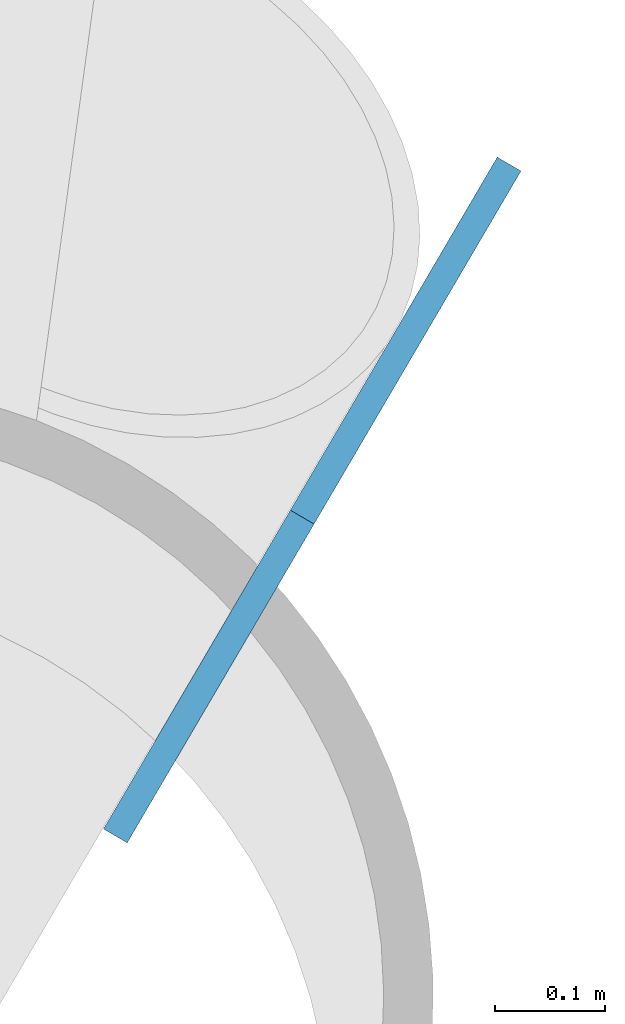
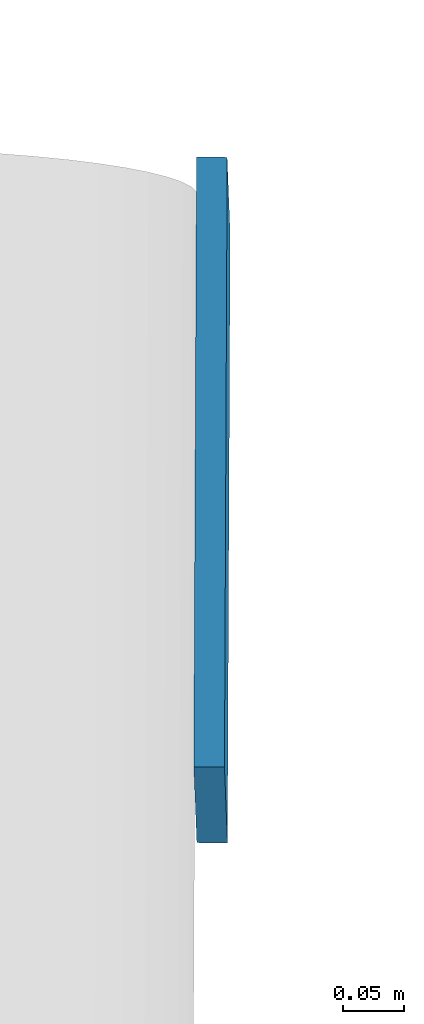
# One storey, part 9 of 22: 1 discrete accessory.
"""IFC4 building model written with IfcOpenShell, lengths in metres."""

from ifc_helpers import new_model, si_unit, direction, frame, origin, origin_2d, place, context, subcontext, project, spatial, rectangle, extrude, material, material_profile, profile_set, type_object, element, save


model = new_model("IFC4")

# Units and contexts
model_context = context("Model", 3, precision=1e-05, world=origin(), true_north=direction((0.0, 1.0)))
body_context = subcontext(model_context, "Body", "Model", "MODEL_VIEW")
ifc_project = project(units=[si_unit("LENGTHUNIT", "METRE"), si_unit("AREAUNIT", "SQUARE_METRE"), si_unit("VOLUMEUNIT", "CUBIC_METRE"), si_unit("PLANEANGLEUNIT", "RADIAN"), si_unit("MASSUNIT", "GRAM", prefix="KILO")], contexts=[model_context])

# Site, building, storey
site_placement = place(None, origin())
site = spatial("IfcSite", under=ifc_project, at=site_placement, CompositionType="ELEMENT")
building_placement = place(site_placement, origin())
building = spatial("IfcBuilding", under=site, at=building_placement, Name="Tarsis Ring Headquarters", CompositionType="ELEMENT")
storey_placement = place(building_placement, frame((0.0, 0.0, 186.60009765625)))
storey = spatial("IfcBuildingStorey", under=building, at=storey_placement, Name="L43", CompositionType="ELEMENT", Elevation=186.60009765625)

# Discrete accessory
ifc_material = material(Name="Structural steel S355", Category="steel")
ifc_material_profile = material_profile(ifc_material, rectangle(XDim=0.02490234375, YDim=0.5, at=origin_2d()), Name="PL 25x500")
ifc_profile_set = profile_set([ifc_material_profile], Name="Structural steel S355")
discrete_accessory_type = type_object("IfcDiscreteAccessoryType", Name="Gusset plate Exo brace 25", PredefinedType="BRACKET", material=ifc_profile_set)
discrete_accessory_placement = place(storey_placement, frame((27.88720703125, -9.177978515625, 7.7998046875), z_axis=(-0.339006680584, -0.578362982437, -0.742004535745), x_axis=(0.862719893226, -0.505682099577, 0.0)))
element("IfcDiscreteAccessory", 1, at=discrete_accessory_placement, inside=storey, type_object=discrete_accessory_type, Name="Gusset plate GP5", PredefinedType="BRACKET", context=body_context, shape_type="SweptSolid", body=[
    extrude(rectangle(XDim=0.02490234375, YDim=0.5, at=origin_2d()), origin(), (0.0, 0.0, 1.0), 0.499755859375),
])

save(model, "model.ifc")
